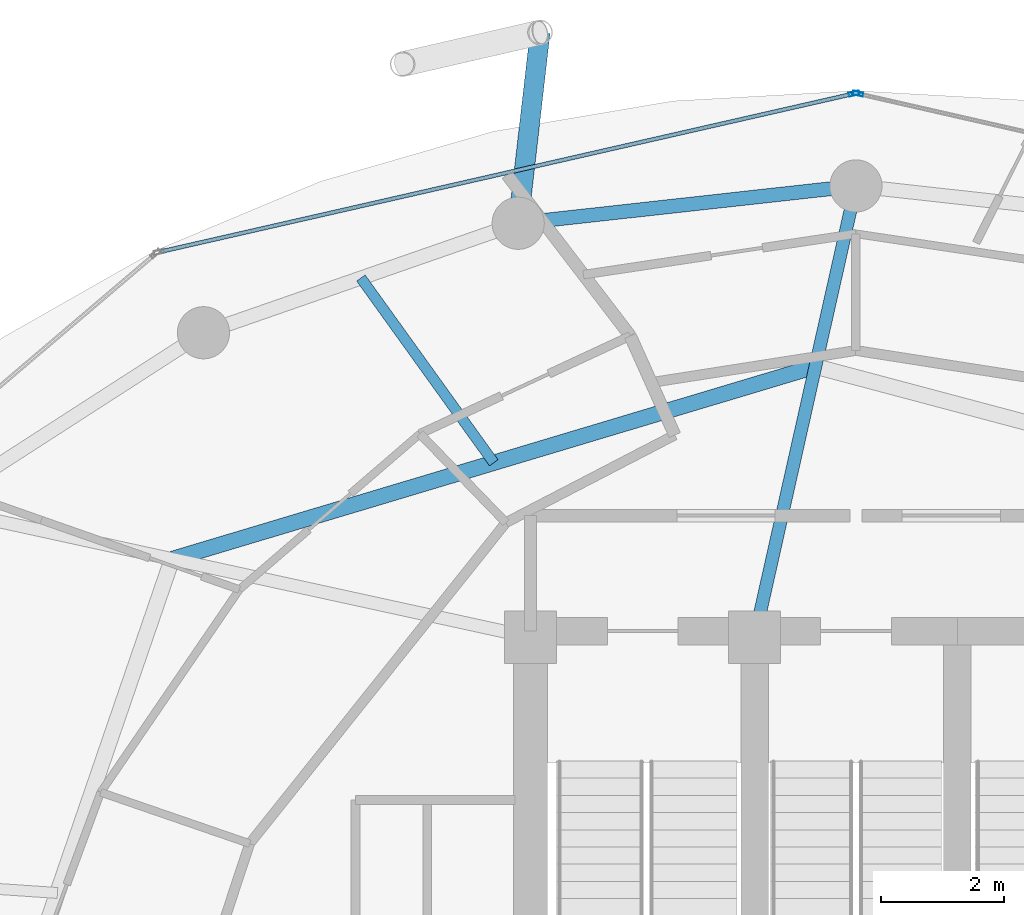
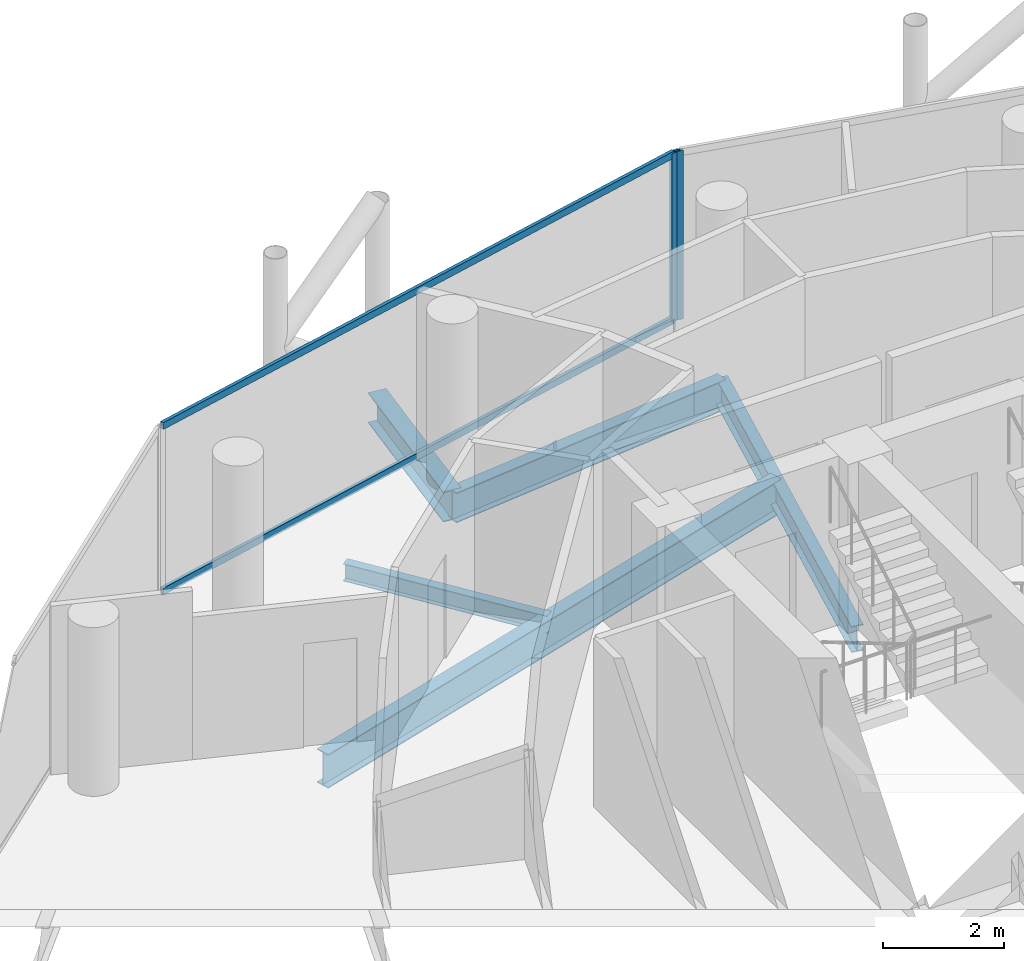
# One storey, part 19 of 27: 5 beams, 4 members, 2 elements without a shape of their own.
"""IFC4 building model written with IfcOpenShell, lengths in metres."""

from ifc_helpers import new_model, si_unit, direction, frame, origin, origin_2d, place, context, subcontext, project, spatial, hollow_rectangle, i_section, extrude, material, layer, layer_set, material_profile, profile_set, type_object, element, aggregate, save


model = new_model("IFC4")

# Units and contexts
model_context = context("Model", 3, precision=1e-05, world=origin(), true_north=direction((0.0, 1.0)))
body_context = subcontext(model_context, "Body", "Model", "MODEL_VIEW")
ifc_project = project(units=[si_unit("LENGTHUNIT", "METRE"), si_unit("AREAUNIT", "SQUARE_METRE"), si_unit("VOLUMEUNIT", "CUBIC_METRE"), si_unit("PLANEANGLEUNIT", "RADIAN"), si_unit("MASSUNIT", "GRAM", prefix="KILO")], contexts=[model_context])

# Site, building, storey
site_placement = place(None, origin())
site = spatial("IfcSite", under=ifc_project, at=site_placement, CompositionType="ELEMENT")
building_placement = place(site_placement, origin())
building = spatial("IfcBuilding", under=site, at=building_placement, Name="Nuhasar Tower", CompositionType="ELEMENT")
storey_placement = place(building_placement, frame((0.0, 0.0, 211.800048828125)))
storey = spatial("IfcBuildingStorey", under=building, at=storey_placement, Name="L51", CompositionType="ELEMENT", Elevation=211.800048828125)

# Beams
ifc_material_1 = material(Name="Steel S355", Category="steel")
ifc_material_profile_1 = material_profile(ifc_material_1, i_section(OverallWidth=0.25390625, OverallDepth=0.68408203125, WebThickness=0.012451171875, FlangeThickness=0.018798828125, at=origin_2d()), Name="W27X94")
ifc_profile_set_1 = profile_set([ifc_material_profile_1], Name="Steel S355")
beam_type_1 = type_object("IfcBeamType", Name="BM-INRING-W27X94", PredefinedType="BEAM", material=ifc_profile_set_1)
beam_1_placement = place(storey_placement, frame((38.340087890625, 41.7099609375, -0.58203125), z_axis=(-0.957973628187, -0.28685628405, 0.0), x_axis=(0.28685628405, -0.957973628187, 0.0)))
element("IfcBeam", 1, at=beam_1_placement, inside=storey, type_object=beam_type_1, Name="L51 Inner Header Beam 06", PredefinedType="BEAM", context=body_context, shape_type="SweptSolid", body=[
    extrude(i_section(OverallWidth=0.25390625, OverallDepth=0.68408203125, WebThickness=0.012451171875, FlangeThickness=0.018798828125, at=origin_2d()), origin(), (0.0, 0.0, 1.0), 10.935546875),
])
ifc_material_profile_2 = material_profile(ifc_material_1, i_section(OverallWidth=0.1708984375, OverallDepth=0.35205078125, WebThickness=0.0068359375, FlangeThickness=0.009765625, at=origin_2d()), Name="W14X30")
ifc_profile_set_2 = profile_set([ifc_material_profile_2], Name="Steel S355")
beam_type_2 = type_object("IfcBeamType", Name="BM-JST-W14X30", PredefinedType="JOIST", material=ifc_profile_set_2)
beam_2_placement = place(storey_placement, frame((33.10205078125, 40.14208984375, -0.416015625), z_axis=(-0.58390205555, 0.811824112431, 0.0), x_axis=(-0.811824112431, -0.58390205555, 0.0)))
element("IfcBeam", 2, at=beam_2_placement, inside=storey, type_object=beam_type_2, Name="L51 Secondary Floor Joist 06", PredefinedType="JOIST", context=body_context, shape_type="SweptSolid", body=[
    extrude(i_section(OverallWidth=0.1708984375, OverallDepth=0.35205078125, WebThickness=0.0068359375, FlangeThickness=0.009765625, at=origin_2d()), origin(), (0.0, 0.0, 1.0), 3.706298828125),
])
ifc_material_profile_3 = material_profile(ifc_material_1, i_section(OverallWidth=0.208984375, OverallDepth=0.528076171875, WebThickness=0.009521484375, FlangeThickness=0.01318359375, at=origin_2d()), Name="W21X55")
ifc_profile_set_3 = profile_set([ifc_material_profile_3], Name="Steel S355")
beam_type_3 = type_object("IfcBeamType", Name="BM-RAD-W21X55", PredefinedType="BEAM", material=ifc_profile_set_3)
beam_3_placement = place(storey_placement, frame((37.35009765625, 37.300048828125, -0.504150390625), z_axis=(0.219030156142, 0.975718089768, 0.0), x_axis=(-0.975718089768, 0.219030156142, 0.0)))
element("IfcBeam", 3, at=beam_3_placement, inside=storey, type_object=beam_type_3, Name="L51 Radial Floor Girder 06", PredefinedType="BEAM", context=body_context, shape_type="SweptSolid", body=[
    extrude(i_section(OverallWidth=0.208984375, OverallDepth=0.528076171875, WebThickness=0.009521484375, FlangeThickness=0.01318359375, at=origin_2d()), origin(), (0.0, 0.0, 1.0), 7.53271484375),
])
ifc_material_profile_4 = material_profile(ifc_material_1, i_section(OverallWidth=0.22802734375, OverallDepth=0.60791015625, WebThickness=0.01123046875, FlangeThickness=0.017333984375, at=origin_2d()), Name="W24X76")
ifc_profile_set_4 = profile_set([ifc_material_profile_4], Name="Steel S355")
beam_type_4 = type_object("IfcBeamType", Name="BM-RING-W24X76", PredefinedType="SPANDREL", material=ifc_profile_set_4)
beam_4_placement = place(storey_placement, frame((39.0, 44.64990234375, -0.5439453125), z_axis=(-0.993947060915, -0.109860093292, 0.0), x_axis=(0.109860093292, -0.993947060915, 0.0)))
element("IfcBeam", 4, at=beam_4_placement, inside=storey, type_object=beam_type_4, Name="L51 Perimeter Ring Spandrel 07", PredefinedType="SPANDREL", context=body_context, shape_type="SweptSolid", body=[
    extrude(i_section(OverallWidth=0.22802734375, OverallDepth=0.60791015625, WebThickness=0.01123046875, FlangeThickness=0.017333984375, at=origin_2d()), origin(), (0.0, 0.0, 1.0), 5.533447265625),
])
ifc_material_profile_5 = material_profile(ifc_material_1, i_section(OverallWidth=0.323974609375, OverallDepth=0.611083984375, WebThickness=0.0126953125, FlangeThickness=0.01904296875, at=origin_2d()), Name="W24X104")
ifc_profile_set_5 = profile_set([ifc_material_profile_5], Name="Steel S355")
beam_type_5 = type_object("IfcBeamType", Name="BM-TIE-W24X104", PredefinedType="BEAM", material=ifc_profile_set_5)
beam_5_placement = place(storey_placement, frame((33.5, 44.0419921875, -0.545166015625), z_axis=(0.114132222314, 0.993465568517, 0.0), x_axis=(-0.993465568517, 0.114132222314, 0.0)))
element("IfcBeam", 5, at=beam_5_placement, inside=storey, type_object=beam_type_5, Name="L51 Exoskeleton Node Tie Beam 04", PredefinedType="BEAM", context=body_context, shape_type="SweptSolid", body=[
    extrude(i_section(OverallWidth=0.323974609375, OverallDepth=0.611083984375, WebThickness=0.0126953125, FlangeThickness=0.01904296875, at=origin_2d()), origin(), (0.0, 0.0, 1.0), 3.12744140625),
])

# Curtain wall, member
ifc_material_2 = material(Name="Aluminium 6063-T6", Category="aluminium")
ifc_layer = layer(ifc_material_2, 0.18994140625)
ifc_layer_set = layer_set([ifc_layer], Name="Aluminium 6063-T6")
curtain_wall_type = type_object("IfcCurtainWallType", Name="CW-Z3-RES", PredefinedType="NOTDEFINED", material=ifc_layer_set)
curtain_wall_1_placement = place(storey_placement, origin())
curtain_wall_1 = element("IfcCurtainWall", 6, at=curtain_wall_1_placement, inside=storey, type_object=curtain_wall_type, Name="L51 Unitised Curtain Wall 03", PredefinedType="NOTDEFINED")
ifc_material_profile_6 = material_profile(ifc_material_2, hollow_rectangle(XDim=0.06494140625, YDim=0.169921875, WallThickness=0.0048828125, at=origin_2d()), Name="CWM-4")
ifc_profile_set_6 = profile_set([ifc_material_profile_6], Name="Aluminium 6063-T6")
member_type_1 = type_object("IfcMemberType", Name="CW-MUL-S4", PredefinedType="MULLION", material=ifc_profile_set_6)
member_1_placement = place(storey_placement, frame((39.03173828125, 46.15283203125, 0.0), z_axis=(0.0, 0.0, 1.0), x_axis=(-0.222243176313, -0.974991266926, 0.0)))
member_1 = element("IfcMember", 7, at=member_1_placement, type_object=member_type_1, Name="CW-Z3 mullion 2", PredefinedType="MULLION", context=body_context, shape_type="SweptSolid", body=[
    extrude(hollow_rectangle(XDim=0.06494140625, YDim=0.169921875, WallThickness=0.0048828125, at=origin_2d()), origin(), (0.0, 0.0, 1.0), 3.409912109375),
])
aggregate(curtain_wall_1, [member_1])

# Curtain wall, members
curtain_wall_2_placement = place(storey_placement, origin())
curtain_wall_2 = element("IfcCurtainWall", 8, at=curtain_wall_2_placement, inside=storey, type_object=curtain_wall_type, Name="L51 Unitised Curtain Wall 04", PredefinedType="NOTDEFINED")
member_2_placement = place(storey_placement, frame((38.96826171875, 46.15283203125, 0.0), z_axis=(0.0, 0.0, 1.0), x_axis=(0.222243176313, -0.974991266926, 0.0)))
member_2 = element("IfcMember", 9, at=member_2_placement, type_object=member_type_1, Name="CW-Z3 mullion 1", PredefinedType="MULLION", context=body_context, shape_type="SweptSolid", body=[
    extrude(hollow_rectangle(XDim=0.06494140625, YDim=0.169921875, WallThickness=0.0048828125, at=origin_2d()), origin(), (0.0, 0.0, 1.0), 3.409912109375),
])
ifc_material_profile_7 = material_profile(ifc_material_2, hollow_rectangle(XDim=0.06494140625, YDim=0.139892578125, WallThickness=0.00439453125, at=origin_2d()), Name="CWT-4")
ifc_profile_set_7 = profile_set([ifc_material_profile_7], Name="Aluminium 6063-T6")
member_type_2 = type_object("IfcMemberType", Name="CW-TRN-S4", PredefinedType="USERDEFINED", material=ifc_profile_set_7)
member_3_placement = place(storey_placement, frame((38.9365234375, 46.1455078125, 0.032470703125), z_axis=(-0.974994070913, -0.222230874732, 0.0), x_axis=(0.222230874732, -0.974994070913, 0.0)))
member_3 = element("IfcMember", 10, at=member_3_placement, type_object=member_type_2, Name="CW-Z3 transom 1.1", ObjectType="TRANSOM", PredefinedType="USERDEFINED", context=body_context, shape_type="SweptSolid", body=[
    extrude(hollow_rectangle(XDim=0.06494140625, YDim=0.139892578125, WallThickness=0.00439453125, at=origin_2d()), origin(), (0.0, 0.0, 1.0), 11.541748046875),
])
member_4_placement = place(storey_placement, frame((38.9365234375, 46.1455078125, 3.37744140625), z_axis=(-0.974994070913, -0.222230874732, 0.0), x_axis=(0.222230874732, -0.974994070913, 0.0)))
member_4 = element("IfcMember", 11, at=member_4_placement, type_object=member_type_2, Name="CW-Z3 transom 1.2", ObjectType="TRANSOM", PredefinedType="USERDEFINED", context=body_context, shape_type="SweptSolid", body=[
    extrude(hollow_rectangle(XDim=0.06494140625, YDim=0.139892578125, WallThickness=0.00439453125, at=origin_2d()), origin(), (0.0, 0.0, 1.0), 11.541748046875),
])
aggregate(curtain_wall_2, [member_2, member_3, member_4])

save(model, "model.ifc")
